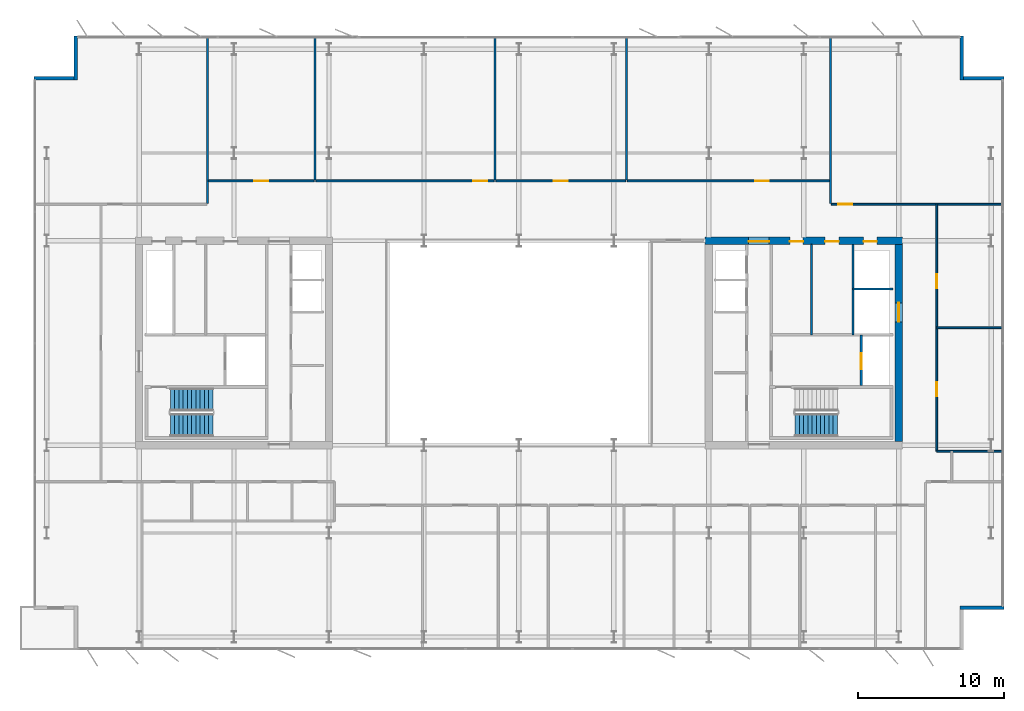
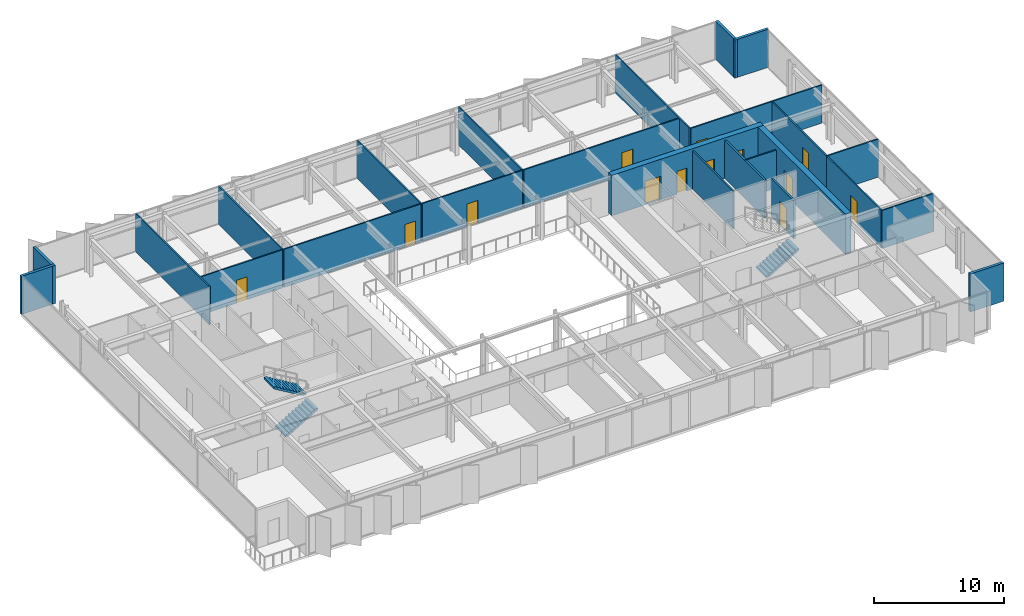
# One storey, part 19 of 24: 25 walls, 13 doors, 3 stair flights, 13 openings, 2 elements without a shape of their own.
"""IFC4 building model written with IfcOpenShell, lengths in metres."""

from ifc_helpers import new_model, si_unit, direction, frame, frame_2d, origin, place, context, subcontext, project, spatial, polyline, rectangle, outline, extrude, material, layer, layer_set, type_object, element, fill, aggregate, save


model = new_model("IFC4")

# Units and contexts
model_context = context("Model", 3, precision=1e-05, world=origin(), true_north=direction((0.0, 1.0)))
body_context = subcontext(model_context, "Body", "Model", "MODEL_VIEW")
ifc_project = project(units=[si_unit("LENGTHUNIT", "METRE"), si_unit("AREAUNIT", "SQUARE_METRE"), si_unit("VOLUMEUNIT", "CUBIC_METRE"), si_unit("PLANEANGLEUNIT", "RADIAN"), si_unit("MASSUNIT", "GRAM", prefix="KILO")], contexts=[model_context])

# Site, building, storey
site_placement = place(None, origin())
site = spatial("IfcSite", under=ifc_project, at=site_placement, CompositionType="ELEMENT")
building_placement = place(site_placement, origin())
building = spatial("IfcBuilding", under=site, at=building_placement, Name="Putna Gate Headquarters", CompositionType="ELEMENT")
storey_placement = place(building_placement, frame((0.0, 0.0, 236.60009765625)))
storey = spatial("IfcBuildingStorey", under=building, at=storey_placement, Name="L59", CompositionType="ELEMENT", Elevation=236.60009765625)

# Wall, openings, doors
ifc_material_1 = material(Name="Concrete C50/60", Category="concrete")
ifc_layer_1 = layer(ifc_material_1, 0.5)
ifc_layer_set_1 = layer_set([ifc_layer_1], Name="Concrete C50/60")
wall_type_1 = type_object("IfcWallType", Name="WALL-CORE-500", PredefinedType="SHEAR", material=ifc_layer_set_1)
wall_1_placement = place(storey_placement, frame((51.75, 33.0, 0.0), z_axis=(0.0, 0.0, 1.0), x_axis=(1.0, 0.0, 0.0)))
wall_1 = element("IfcWall", 1, at=wall_1_placement, inside=storey, type_object=wall_type_1, Name="L59 EC Split Core Shear Wall N", PredefinedType="SHEAR", context=body_context, shape_type="SweptSolid", body=[
    extrude(rectangle(XDim=13.5, YDim=0.5, at=frame_2d((6.75, 0.0))), origin(), (0.0, 0.0, 1.0), 3.7998046875),
])
opening_1_placement = place(wall_1_placement, frame((2.969970703125, 0.0, 0.0)))
opening_1 = element("IfcOpeningElement", 2, at=opening_1_placement, cuts=wall_1, Name="Opening FDD-140", PredefinedType="OPENING", context=body_context, shape_type="SweptSolid", body=[
    extrude(rectangle(XDim=1.39990234375, YDim=2.199951171875, at=frame_2d((0.699951171875, 1.10009765625))), frame((0.0, 0.260009765625, 0.0), z_axis=(0.0, -1.0, 0.0), x_axis=(1.0, 0.0, 0.0)), (0.0, 0.0, 1.0), 0.52001953125),
])
opening_2_placement = place(wall_1_placement, frame((10.85009765625, 0.0, 0.0)))
opening_2 = element("IfcOpeningElement", 3, at=opening_2_placement, cuts=wall_1, Name="Opening RD-90", PredefinedType="OPENING", context=body_context, shape_type="SweptSolid", body=[
    extrude(rectangle(XDim=0.89990234375, YDim=2.14990234375, at=frame_2d((0.449951171875, 1.074951171875))), frame((0.0, 0.260009765625, 0.0), z_axis=(0.0, -1.0, 0.0), x_axis=(1.0, 0.0, 0.0)), (0.0, 0.0, 1.0), 0.52001953125),
])
opening_3_placement = place(wall_1_placement, frame((5.800048828125, 0.0, 0.0)))
opening_3 = element("IfcOpeningElement", 4, at=opening_3_placement, cuts=wall_1, Name="Opening IDS-90", PredefinedType="OPENING", context=body_context, shape_type="SweptSolid", body=[
    extrude(rectangle(XDim=0.89990234375, YDim=2.14990234375, at=frame_2d((0.449951171875, 1.074951171875))), frame((0.0, 0.260009765625, 0.0), z_axis=(0.0, -1.0, 0.0), x_axis=(1.0, 0.0, 0.0)), (0.0, 0.0, 1.0), 0.52001953125),
])
opening_4_placement = place(wall_1_placement, frame((8.199951171875, 0.0, 0.0)))
opening_4 = element("IfcOpeningElement", 5, at=opening_4_placement, cuts=wall_1, Name="Opening IDS-95", PredefinedType="OPENING", context=body_context, shape_type="SweptSolid", body=[
    extrude(rectangle(XDim=0.949951171875, YDim=2.14990234375, at=frame_2d((0.47509765625, 1.074951171875))), frame((0.0, 0.260009765625, 0.0), z_axis=(0.0, -1.0, 0.0), x_axis=(1.0, 0.0, 0.0)), (0.0, 0.0, 1.0), 0.52001953125),
])
ifc_material_2 = material(Name="Double steel fire door", Category="steel")
door_type_1 = type_object("IfcDoorType", Name="DOOR-FIRE-DBL-1400", OperationType="DOUBLE_DOOR_SINGLE_SWING", PredefinedType="DOOR", material=ifc_material_2)
door_1_placement = place(opening_1_placement, origin())
door_1 = element("IfcDoor", 6, at=door_1_placement, inside=storey, type_object=door_type_1, Name="L59 East Lift Lobby North Door", OperationType="DOUBLE_DOOR_SINGLE_SWING", OverallHeight=2.199951171875, OverallWidth=1.39990234375, PredefinedType="DOOR", context=body_context, shape_type="SweptSolid", body=[
    extrude(rectangle(XDim=1.39990234375, YDim=2.199951171875, at=frame_2d((0.699951171875, 1.10009765625))), frame((0.0, -0.02490234375, 0.0), z_axis=(0.0, -1.0, 0.0), x_axis=(1.0, 0.0, 0.0)), (0.0, 0.0, 1.0), 0.050048828125),
])
fill(opening_1, door_1)
ifc_material_3 = material(Name="Fire-rated utility door")
door_type_2 = type_object("IfcDoorType", Name="DOOR-INT-900", OperationType="NOTDEFINED", PredefinedType="DOOR", material=ifc_material_3)
door_2_placement = place(opening_3_placement, origin())
door_2 = element("IfcDoor", 7, at=door_2_placement, inside=storey, type_object=door_type_2, Name="L59 Telecoms Plant Door", OperationType="SINGLE_SWING_LEFT", OverallHeight=2.14990234375, OverallWidth=0.89990234375, PredefinedType="DOOR", context=body_context, shape_type="SweptSolid", body=[
    extrude(rectangle(XDim=0.89990234375, YDim=2.14990234375, at=frame_2d((0.449951171875, 1.074951171875))), frame((0.0, -0.02490234375, 0.0), z_axis=(0.0, -1.0, 0.0), x_axis=(1.0, 0.0, 0.0)), (0.0, 0.0, 1.0), 0.050048828125),
])
fill(opening_3, door_2)
ifc_material_4 = material(Name="Fire-rated service timber door", Category="wood")
door_type_3 = type_object("IfcDoorType", Name="DOOR-INT-950", OperationType="NOTDEFINED", PredefinedType="DOOR", material=ifc_material_4)
door_3_placement = place(opening_4_placement, origin())
door_3 = element("IfcDoor", 8, at=door_3_placement, inside=storey, type_object=door_type_3, Name="L59 Supplies Store Door", OperationType="SINGLE_SWING_RIGHT", OverallHeight=2.14990234375, OverallWidth=0.949951171875, PredefinedType="DOOR", context=body_context, shape_type="SweptSolid", body=[
    extrude(rectangle(XDim=0.949951171875, YDim=2.14990234375, at=frame_2d((0.47509765625, 1.074951171875))), frame((0.0, -0.02490234375, 0.0), z_axis=(0.0, -1.0, 0.0), x_axis=(1.0, 0.0, 0.0)), (0.0, 0.0, 1.0), 0.050048828125),
])
fill(opening_4, door_3)
ifc_material_5 = material(Name="Steel riser access fire door", Category="steel")
door_type_4 = type_object("IfcDoorType", Name="DOOR-RISER-900", OperationType="NOTDEFINED", PredefinedType="DOOR", material=ifc_material_5)
door_4_placement = place(opening_2_placement, origin())
door_4 = element("IfcDoor", 9, at=door_4_placement, inside=storey, type_object=door_type_4, Name="L59 East Riser Access Door", OperationType="SINGLE_SWING_LEFT", OverallHeight=2.14990234375, OverallWidth=0.89990234375, PredefinedType="DOOR", context=body_context, shape_type="SweptSolid", body=[
    extrude(rectangle(XDim=0.89990234375, YDim=2.14990234375, at=frame_2d((0.449951171875, 1.074951171875))), frame((0.0, -0.02490234375, 0.0), z_axis=(0.0, -1.0, 0.0), x_axis=(1.0, 0.0, 0.0)), (0.0, 0.0, 1.0), 0.050048828125),
])
fill(opening_2, door_4)

# Wall, opening, door
wall_2_placement = place(storey_placement, frame((65.0, 19.25, 0.0), z_axis=(0.0, 0.0, 1.0), x_axis=(0.0, 1.0, 0.0)))
wall_2 = element("IfcWall", 10, at=wall_2_placement, inside=storey, type_object=wall_type_1, Name="L59 EC Split Core Shear Wall E", PredefinedType="SHEAR", context=body_context, shape_type="SweptSolid", body=[
    extrude(rectangle(XDim=13.5, YDim=0.5, at=frame_2d((6.75, 0.0))), origin(), (0.0, 0.0, 1.0), 3.7998046875),
])
opening_5_placement = place(wall_2_placement, frame((8.199951171875, 0.0, 0.0)))
opening_5 = element("IfcOpeningElement", 11, at=opening_5_placement, cuts=wall_2, Name="Opening LD-2", PredefinedType="OPENING", context=body_context, shape_type="SweptSolid", body=[
    extrude(rectangle(XDim=1.300048828125, YDim=2.199951171875, at=frame_2d((0.64990234375, 1.10009765625))), frame((0.0, 0.260009765625, 0.0), z_axis=(0.0, -1.0, 0.0), x_axis=(1.0, 0.0, 0.0)), (0.0, 0.0, 1.0), 0.52001953125),
])
ifc_material_6 = material(Name="Heavy-duty goods lift sliding landing door")
door_type_5 = type_object("IfcDoorType", Name="DOOR-LIFT-1300", OperationType="DOUBLE_DOOR_SLIDING", PredefinedType="DOOR", material=ifc_material_6)
door_5_placement = place(opening_5_placement, origin())
door_5 = element("IfcDoor", 12, at=door_5_placement, inside=storey, type_object=door_type_5, Name="L59 Goods Lift Landing Door LD-15", OperationType="DOUBLE_DOOR_SLIDING", OverallHeight=2.199951171875, OverallWidth=1.300048828125, PredefinedType="DOOR", context=body_context, shape_type="SweptSolid", body=[
    extrude(rectangle(XDim=1.300048828125, YDim=2.199951171875, at=frame_2d((0.64990234375, 1.10009765625))), frame((0.0, 0.02490234375, 0.0), z_axis=(0.0, -1.0, 0.0), x_axis=(1.0, 0.0, 0.0)), (0.0, 0.0, 1.0), 0.050048828125),
])
fill(opening_5, door_5)

# Walls
ifc_material_7 = material(Name="Precast concrete C40/50", Category="concrete")
ifc_layer_2 = layer(ifc_material_7, 0.239990234375)
ifc_layer_set_2 = layer_set([ifc_layer_2], Name="Precast concrete C40/50")
wall_type_2 = type_object("IfcWallType", Name="WALL-EXT-TERR-240", PredefinedType="STANDARD", material=ifc_layer_set_2)
for number, where, z_axis, x_axis, name in (
    (13, (8.679931640625, 44.0, 0.0), (0.0, 0.0, 1.0), (0.0, 1.0, 0.0), "L59 Corner Notch Return Wall NW-V"),
    (14, (5.800048828125, 44.1201171875, 0.0), (0.0, 0.0, 1.0), (1.0, 0.0, 0.0), "L59 Corner Notch Return Wall NW-H"),
    (15, (69.320068359375, 47.0, 0.0), (0.0, 0.0, 1.0), (0.0, -1.0, 0.0), "L59 Corner Notch Return Wall NE-V"),
    (16, (69.199951171875, 44.1201171875, 0.0), (0.0, 0.0, 1.0), (1.0, 0.0, 0.0), "L59 Corner Notch Return Wall NE-H"),
    (17, (72.199951171875, 7.8798828125, 0.0), (0.0, 0.0, 1.0), (-1.0, 0.0, 0.0), "L59 Corner Notch Return Wall SE-H"),
):
    element("IfcWall", number, at=place(storey_placement, frame(where, z_axis=z_axis, x_axis=x_axis)), inside=storey, type_object=wall_type_2, Name=name, PredefinedType="STANDARD", context=body_context, shape_type="SweptSolid", body=[
        extrude(rectangle(XDim=3.0, YDim=0.239990234375, at=frame_2d((1.5, 0.0))), origin(), (0.0, 0.0, 1.0), 3.579833984375),
    ])
ifc_material_8 = material(Name="Acoustic gypsum board on metal stud")
ifc_layer_3 = layer(ifc_material_8, 0.1201171875)
ifc_layer_set_3 = layer_set([ifc_layer_3], Name="Acoustic gypsum board on metal stud")
wall_type_3 = type_object("IfcWallType", Name="WALL-PART-120", PredefinedType="PARTITIONING", material=ifc_layer_set_3)
wall_3_placement = place(storey_placement, frame((17.682373046875, 35.56005859375, 0.0), z_axis=(0.0, 0.0, 1.0), x_axis=(0.0, 1.0, 0.0)))
element("IfcWall", 18, at=wall_3_placement, inside=storey, type_object=wall_type_3, Name="L59 Interior Wall PART-L59-NB-DIV-01", PredefinedType="PARTITIONING", context=body_context, shape_type="SweptSolid", body=[
    extrude(rectangle(XDim=11.419921875, YDim=0.1201171875, at=frame_2d((5.7099609375, 0.0))), origin(), (0.0, 0.0, 1.0), 3.579833984375),
])
for number, where, z_axis, x_axis, name in (
    (19, (25.045654296875, 37.159912109375, 0.0), (0.0, 0.0, 1.0), (0.0, 1.0, 0.0), "L59 Interior Wall PART-L59-NB-DIV-02"),
    (20, (37.355712890625, 37.159912109375, 0.0), (0.0, 0.0, 1.0), (0.0, 1.0, 0.0), "L59 Interior Wall PART-L59-NB-DIV-03"),
    (21, (46.363525390625, 37.159912109375, 0.0), (0.0, 0.0, 1.0), (0.0, 1.0, 0.0), "L59 Interior Wall PART-L59-NB-DIV-04"),
):
    element("IfcWall", number, at=place(storey_placement, frame(where, z_axis=z_axis, x_axis=x_axis)), inside=storey, type_object=wall_type_3, Name=name, PredefinedType="PARTITIONING", context=body_context, shape_type="SweptSolid", body=[
        extrude(rectangle(XDim=9.820068359375, YDim=0.1201171875, at=frame_2d((4.91015625, 0.0))), origin(), (0.0, 0.0, 1.0), 3.579833984375),
    ])
wall_4_placement = place(storey_placement, frame((60.317626953125, 35.56005859375, 0.0), z_axis=(0.0, 0.0, 1.0), x_axis=(0.0, 1.0, 0.0)))
element("IfcWall", 22, at=wall_4_placement, inside=storey, type_object=wall_type_3, Name="L59 Interior Wall PART-L59-NB-DIV-05", PredefinedType="PARTITIONING", context=body_context, shape_type="SweptSolid", body=[
    extrude(rectangle(XDim=11.419921875, YDim=0.1201171875, at=frame_2d((5.7099609375, 0.0))), origin(), (0.0, 0.0, 1.0), 3.579833984375),
])
wall_5_placement = place(storey_placement, frame((67.60009765625, 27.050048828125, 0.0), z_axis=(0.0, 0.0, 1.0), x_axis=(1.0, 0.0, 0.0)))
element("IfcWall", 23, at=wall_5_placement, inside=storey, type_object=wall_type_3, Name="L59 Interior Wall PART-L59-EW-DIV-1", PredefinedType="PARTITIONING", context=body_context, shape_type="SweptSolid", body=[
    extrude(rectangle(XDim=4.579833984375, YDim=0.1201171875, at=frame_2d((2.2900390625, 0.0))), origin(), (0.0, 0.0, 1.0), 3.579833984375),
])
ifc_material_9 = material(Name="Fire-rated shaftwall gypsum board on metal stud")
ifc_layer_4 = layer(ifc_material_9, 0.1201171875)
ifc_layer_set_4 = layer_set([ifc_layer_4], Name="Fire-rated shaftwall gypsum board on metal stud")
wall_type_4 = type_object("IfcWallType", Name="WALL-PART-120-EI120", PredefinedType="PARTITIONING", material=ifc_layer_set_4)
wall_6_placement = place(storey_placement, frame((61.8701171875, 29.699951171875, 0.0), z_axis=(0.0, 0.0, 1.0), x_axis=(1.0, 0.0, 0.0)))
element("IfcWall", 24, at=wall_6_placement, inside=storey, type_object=wall_type_4, Name="L59 Interior Wall CWINT-L59-EC-LF15-N", PredefinedType="PARTITIONING", context=body_context, shape_type="SweptSolid", body=[
    extrude(rectangle(XDim=2.72998046875, YDim=0.1201171875, at=frame_2d((1.364990234375, 0.0))), origin(), (0.0, 0.0, 1.0), 3.579833984375),
])
ifc_material_10 = material(Name="Fire-rated gypsum board on metal stud")
ifc_layer_5 = layer(ifc_material_10, 0.1201171875)
ifc_layer_set_5 = layer_set([ifc_layer_5], Name="Fire-rated gypsum board on metal stud")
wall_type_5 = type_object("IfcWallType", Name="WALL-PART-120-RATED", PredefinedType="PARTITIONING", material=ifc_layer_set_5)
wall_7_placement = place(storey_placement, frame((59.02001953125, 26.56005859375, 0.0), z_axis=(0.0, 0.0, 1.0), x_axis=(0.0, 1.0, 0.0)))
element("IfcWall", 25, at=wall_7_placement, inside=storey, type_object=wall_type_5, Name="L59 Interior Wall CWINT-L59-EC-K1-DIV", PredefinedType="PARTITIONING", context=body_context, shape_type="SweptSolid", body=[
    extrude(rectangle(XDim=6.18994140625, YDim=0.1201171875, at=frame_2d((3.094970703125, 0.0))), origin(), (0.0, 0.0, 1.0), 3.579833984375),
])

# Wall, opening, door
wall_8_placement = place(storey_placement, frame((17.7421875, 37.10009765625, 0.0), z_axis=(0.0, 0.0, 1.0), x_axis=(1.0, 0.0, 0.0)))
wall_8 = element("IfcWall", 26, at=wall_8_placement, inside=storey, type_object=wall_type_5, Name="L59 Interior Wall PART-L59-NB-CW-02", PredefinedType="PARTITIONING", context=body_context, shape_type="SweptSolid", body=[
    extrude(rectangle(XDim=7.243408203125, YDim=0.1201171875, at=frame_2d((3.62158203125, 0.0))), origin(), (0.0, 0.0, 1.0), 3.579833984375),
])
opening_6_placement = place(wall_8_placement, frame((3.146728515625, 0.0, 0.0)))
opening_6 = element("IfcOpeningElement", 27, at=opening_6_placement, cuts=wall_8, Name="Opening FD-95", PredefinedType="OPENING", context=body_context, shape_type="SweptSolid", body=[
    extrude(rectangle(XDim=0.949951171875, YDim=2.14990234375, at=frame_2d((0.47509765625, 1.074951171875))), frame((0.0, 0.070068359375, 0.0), z_axis=(0.0, -1.0, 0.0), x_axis=(1.0, 0.0, 0.0)), (0.0, 0.0, 1.0), 0.14013671875),
])
ifc_material_11 = material(Name="Acoustic timber fire door", Category="wood")
door_type_6 = type_object("IfcDoorType", Name="DOOR-FIRE-950", OperationType="NOTDEFINED", PredefinedType="DOOR", material=ifc_material_11)
door_6_placement = place(opening_6_placement, origin())
door_6 = element("IfcDoor", 28, at=door_6_placement, inside=storey, type_object=door_type_6, Name="L59 Conference Meeting Room 4 Door", OperationType="SINGLE_SWING_LEFT", OverallHeight=2.14990234375, OverallWidth=0.949951171875, PredefinedType="DOOR", context=body_context, shape_type="SweptSolid", body=[
    extrude(rectangle(XDim=0.949951171875, YDim=2.14990234375, at=frame_2d((0.47509765625, 1.074951171875))), frame((0.0, 0.02490234375, 0.0), z_axis=(0.0, -1.0, 0.0), x_axis=(1.0, 0.0, 0.0)), (0.0, 0.0, 1.0), 0.050048828125),
])
fill(opening_6, door_6)

wall_9_placement = place(storey_placement, frame((25.105712890625, 37.10009765625, 0.0), z_axis=(0.0, 0.0, 1.0), x_axis=(1.0, 0.0, 0.0)))
wall_9 = element("IfcWall", 29, at=wall_9_placement, inside=storey, type_object=wall_type_5, Name="L59 Interior Wall PART-L59-NB-CW-03", PredefinedType="PARTITIONING", context=body_context, shape_type="SweptSolid", body=[
    extrude(rectangle(XDim=12.18994140625, YDim=0.1201171875, at=frame_2d((6.094970703125, 0.0))), origin(), (0.0, 0.0, 1.0), 3.579833984375),
])
opening_7_placement = place(wall_9_placement, frame((10.760009765625, 0.0, 0.0)))
opening_7 = element("IfcOpeningElement", 30, at=opening_7_placement, cuts=wall_9, Name="Opening FD-95", PredefinedType="OPENING", context=body_context, shape_type="SweptSolid", body=[
    extrude(rectangle(XDim=0.949951171875, YDim=2.14990234375, at=frame_2d((0.47509765625, 1.074951171875))), frame((0.0, 0.070068359375, 0.0), z_axis=(0.0, -1.0, 0.0), x_axis=(1.0, 0.0, 0.0)), (0.0, 0.0, 1.0), 0.14013671875),
])
door_7_placement = place(opening_7_placement, origin())
door_7 = element("IfcDoor", 31, at=door_7_placement, inside=storey, type_object=door_type_6, Name="L59 Conference Meeting Room 5 Door", OperationType="SINGLE_SWING_RIGHT", OverallHeight=2.14990234375, OverallWidth=0.949951171875, PredefinedType="DOOR", context=body_context, shape_type="SweptSolid", body=[
    extrude(rectangle(XDim=0.949951171875, YDim=2.14990234375, at=frame_2d((0.47509765625, 1.074951171875))), frame((0.0, 0.02490234375, 0.0), z_axis=(0.0, -1.0, 0.0), x_axis=(1.0, 0.0, 0.0)), (0.0, 0.0, 1.0), 0.050048828125),
])
fill(opening_7, door_7)

wall_10_placement = place(storey_placement, frame((37.41552734375, 37.10009765625, 0.0), z_axis=(0.0, 0.0, 1.0), x_axis=(1.0, 0.0, 0.0)))
wall_10 = element("IfcWall", 32, at=wall_10_placement, inside=storey, type_object=wall_type_5, Name="L59 Interior Wall PART-L59-NB-CW-04", PredefinedType="PARTITIONING", context=body_context, shape_type="SweptSolid", body=[
    extrude(rectangle(XDim=8.887939453125, YDim=0.1201171875, at=frame_2d((4.44384765625, 0.0))), origin(), (0.0, 0.0, 1.0), 3.579833984375),
])
opening_8_placement = place(wall_10_placement, frame((3.968994140625, 0.0, 0.0)))
opening_8 = element("IfcOpeningElement", 33, at=opening_8_placement, cuts=wall_10, Name="Opening FD-95", PredefinedType="OPENING", context=body_context, shape_type="SweptSolid", body=[
    extrude(rectangle(XDim=0.949951171875, YDim=2.14990234375, at=frame_2d((0.47509765625, 1.074951171875))), frame((0.0, 0.070068359375, 0.0), z_axis=(0.0, -1.0, 0.0), x_axis=(1.0, 0.0, 0.0)), (0.0, 0.0, 1.0), 0.14013671875),
])
door_8_placement = place(opening_8_placement, origin())
door_8 = element("IfcDoor", 34, at=door_8_placement, inside=storey, type_object=door_type_6, Name="L59 Conference Meeting Room 6 Door", OperationType="SINGLE_SWING_LEFT", OverallHeight=2.14990234375, OverallWidth=0.949951171875, PredefinedType="DOOR", context=body_context, shape_type="SweptSolid", body=[
    extrude(rectangle(XDim=0.949951171875, YDim=2.14990234375, at=frame_2d((0.47509765625, 1.074951171875))), frame((0.0, 0.02490234375, 0.0), z_axis=(0.0, -1.0, 0.0), x_axis=(1.0, 0.0, 0.0)), (0.0, 0.0, 1.0), 0.050048828125),
])
fill(opening_8, door_8)

wall_11_placement = place(storey_placement, frame((46.423583984375, 37.10009765625, 0.0), z_axis=(0.0, 0.0, 1.0), x_axis=(1.0, 0.0, 0.0)))
wall_11 = element("IfcWall", 35, at=wall_11_placement, inside=storey, type_object=wall_type_5, Name="L59 Interior Wall PART-L59-NB-CW-05", PredefinedType="PARTITIONING", context=body_context, shape_type="SweptSolid", body=[
    extrude(rectangle(XDim=13.834228515625, YDim=0.1201171875, at=frame_2d((6.9169921875, 0.0))), origin(), (0.0, 0.0, 1.0), 3.579833984375),
])
opening_9_placement = place(wall_11_placement, frame((8.73388671875, 0.0, 0.0)))
opening_9 = element("IfcOpeningElement", 36, at=opening_9_placement, cuts=wall_11, Name="Opening FD-95", PredefinedType="OPENING", context=body_context, shape_type="SweptSolid", body=[
    extrude(rectangle(XDim=0.949951171875, YDim=2.14990234375, at=frame_2d((0.47509765625, 1.074951171875))), frame((0.0, 0.070068359375, 0.0), z_axis=(0.0, -1.0, 0.0), x_axis=(1.0, 0.0, 0.0)), (0.0, 0.0, 1.0), 0.14013671875),
])
door_9_placement = place(opening_9_placement, origin())
door_9 = element("IfcDoor", 37, at=door_9_placement, inside=storey, type_object=door_type_6, Name="L59 Collaborative Breakout Lounge 1 Door", OperationType="SINGLE_SWING_RIGHT", OverallHeight=2.14990234375, OverallWidth=0.949951171875, PredefinedType="DOOR", context=body_context, shape_type="SweptSolid", body=[
    extrude(rectangle(XDim=0.949951171875, YDim=2.14990234375, at=frame_2d((0.47509765625, 1.074951171875))), frame((0.0, 0.02490234375, 0.0), z_axis=(0.0, -1.0, 0.0), x_axis=(1.0, 0.0, 0.0)), (0.0, 0.0, 1.0), 0.050048828125),
])
fill(opening_9, door_9)

wall_12_placement = place(storey_placement, frame((60.377685546875, 35.5, 0.0), z_axis=(0.0, 0.0, 1.0), x_axis=(1.0, 0.0, 0.0)))
wall_12 = element("IfcWall", 38, at=wall_12_placement, inside=storey, type_object=wall_type_5, Name="L59 Interior Wall PART-L59-NB-CW-06", PredefinedType="PARTITIONING", context=body_context, shape_type="SweptSolid", body=[
    extrude(rectangle(XDim=11.642333984375, YDim=0.1201171875, at=frame_2d((5.8212890625, 0.0))), origin(), (0.0, 0.0, 1.0), 3.579833984375),
])
opening_10_placement = place(wall_12_placement, frame((0.47998046875, 0.0, 0.0)))
opening_10 = element("IfcOpeningElement", 39, at=opening_10_placement, cuts=wall_12, Name="Opening FD-95", PredefinedType="OPENING", context=body_context, shape_type="SweptSolid", body=[
    extrude(rectangle(XDim=0.949951171875, YDim=2.14990234375, at=frame_2d((0.47509765625, 1.074951171875))), frame((0.0, 0.070068359375, 0.0), z_axis=(0.0, -1.0, 0.0), x_axis=(1.0, 0.0, 0.0)), (0.0, 0.0, 1.0), 0.14013671875),
])
door_10_placement = place(opening_10_placement, origin())
door_10 = element("IfcDoor", 40, at=door_10_placement, inside=storey, type_object=door_type_6, Name="L59 Conference Meeting Room 1 Door", OperationType="SINGLE_SWING_LEFT", OverallHeight=2.14990234375, OverallWidth=0.949951171875, PredefinedType="DOOR", context=body_context, shape_type="SweptSolid", body=[
    extrude(rectangle(XDim=0.949951171875, YDim=2.14990234375, at=frame_2d((0.47509765625, 1.074951171875))), frame((0.0, 0.02490234375, 0.0), z_axis=(0.0, -1.0, 0.0), x_axis=(1.0, 0.0, 0.0)), (0.0, 0.0, 1.0), 0.050048828125),
])
fill(opening_10, door_10)

# Wall
wall_13_placement = place(storey_placement, frame((67.60009765625, 18.60009765625, 0.0), z_axis=(0.0, 0.0, 1.0), x_axis=(1.0, 0.0, 0.0)))
element("IfcWall", 41, at=wall_13_placement, inside=storey, type_object=wall_type_5, Name="L59 Interior Wall PART-L59-EW-S-BOUND", PredefinedType="PARTITIONING", context=body_context, shape_type="SweptSolid", body=[
    extrude(rectangle(XDim=4.579833984375, YDim=0.1201171875, at=frame_2d((2.2900390625, 0.0))), origin(), (0.0, 0.0, 1.0), 3.579833984375),
])

# Wall, opening, door
wall_14_placement = place(storey_placement, frame((67.60009765625, 18.60009765625, 0.0), z_axis=(0.0, 0.0, 1.0), x_axis=(0.0, 1.0, 0.0)))
wall_14 = element("IfcWall", 42, at=wall_14_placement, inside=storey, type_object=wall_type_5, Name="L59 Interior Wall PART-L59-EW-CW-1", PredefinedType="PARTITIONING", context=body_context, shape_type="SweptSolid", body=[
    extrude(rectangle(XDim=8.449951171875, YDim=0.1201171875, at=frame_2d((4.22509765625, 0.0))), origin(), (0.0, 0.0, 1.0), 3.579833984375),
])
opening_11_placement = place(wall_14_placement, frame((3.75, 0.0, 0.0)))
opening_11 = element("IfcOpeningElement", 43, at=opening_11_placement, cuts=wall_14, Name="Opening FD-95", PredefinedType="OPENING", context=body_context, shape_type="SweptSolid", body=[
    extrude(rectangle(XDim=0.949951171875, YDim=2.14990234375, at=frame_2d((0.47509765625, 1.074951171875))), frame((0.0, 0.070068359375, 0.0), z_axis=(0.0, -1.0, 0.0), x_axis=(1.0, 0.0, 0.0)), (0.0, 0.0, 1.0), 0.14013671875),
])
door_11_placement = place(opening_11_placement, origin())
door_11 = element("IfcDoor", 44, at=door_11_placement, inside=storey, type_object=door_type_6, Name="L59 East Advisory Office 1 Door", OperationType="SINGLE_SWING_RIGHT", OverallHeight=2.14990234375, OverallWidth=0.949951171875, PredefinedType="DOOR", context=body_context, shape_type="SweptSolid", body=[
    extrude(rectangle(XDim=0.949951171875, YDim=2.14990234375, at=frame_2d((0.47509765625, 1.074951171875))), frame((0.0, 0.02490234375, 0.0), z_axis=(0.0, -1.0, 0.0), x_axis=(1.0, 0.0, 0.0)), (0.0, 0.0, 1.0), 0.050048828125),
])
fill(opening_11, door_11)

wall_15_placement = place(storey_placement, frame((67.60009765625, 27.050048828125, 0.0), z_axis=(0.0, 0.0, 1.0), x_axis=(0.0, 1.0, 0.0)))
wall_15 = element("IfcWall", 45, at=wall_15_placement, inside=storey, type_object=wall_type_5, Name="L59 Interior Wall PART-L59-EW-CW-2", PredefinedType="PARTITIONING", context=body_context, shape_type="SweptSolid", body=[
    extrude(rectangle(XDim=8.449951171875, YDim=0.1201171875, at=frame_2d((4.22509765625, 0.0))), origin(), (0.0, 0.0, 1.0), 3.579833984375),
])
opening_12_placement = place(wall_15_placement, frame((2.699951171875, 0.0, 0.0)))
opening_12 = element("IfcOpeningElement", 46, at=opening_12_placement, cuts=wall_15, Name="Opening FD-95", PredefinedType="OPENING", context=body_context, shape_type="SweptSolid", body=[
    extrude(rectangle(XDim=0.949951171875, YDim=2.14990234375, at=frame_2d((0.47509765625, 1.074951171875))), frame((0.0, 0.070068359375, 0.0), z_axis=(0.0, -1.0, 0.0), x_axis=(1.0, 0.0, 0.0)), (0.0, 0.0, 1.0), 0.14013671875),
])
door_12_placement = place(opening_12_placement, origin())
door_12 = element("IfcDoor", 47, at=door_12_placement, inside=storey, type_object=door_type_6, Name="L59 East Horizon Conference Room 2 Door", OperationType="SINGLE_SWING_LEFT", OverallHeight=2.14990234375, OverallWidth=0.949951171875, PredefinedType="DOOR", context=body_context, shape_type="SweptSolid", body=[
    extrude(rectangle(XDim=0.949951171875, YDim=2.14990234375, at=frame_2d((0.47509765625, 1.074951171875))), frame((0.0, 0.02490234375, 0.0), z_axis=(0.0, -1.0, 0.0), x_axis=(1.0, 0.0, 0.0)), (0.0, 0.0, 1.0), 0.050048828125),
])
fill(opening_12, door_12)

ifc_material_12 = material(Name="Concrete C40/50", Category="concrete")
ifc_layer_6 = layer(ifc_material_12, 0.159912109375)
ifc_layer_set_6 = layer_set([ifc_layer_6], Name="Concrete C40/50")
wall_type_6 = type_object("IfcWallType", Name="WALL-SHAFT-160", PredefinedType="STANDARD", material=ifc_layer_set_6)
wall_16_placement = place(storey_placement, frame((62.429931640625, 23.090087890625, 0.0), z_axis=(0.0, 0.0, 1.0), x_axis=(0.0, 1.0, 0.0)))
wall_16 = element("IfcWall", 48, at=wall_16_placement, inside=storey, type_object=wall_type_6, Name="L59 Interior Wall CWINT-L59-EC-LF14-W", PredefinedType="STANDARD", context=body_context, shape_type="SweptSolid", body=[
    extrude(rectangle(XDim=3.469970703125, YDim=0.159912109375, at=frame_2d((1.73486328125, 0.0))), origin(), (0.0, 0.0, 1.0), 3.579833984375),
])
opening_13_placement = place(wall_16_placement, frame((1.10009765625, 0.0, 0.0)))
opening_13 = element("IfcOpeningElement", 49, at=opening_13_placement, cuts=wall_16, Name="Opening LD-1", PredefinedType="OPENING", context=body_context, shape_type="SweptSolid", body=[
    extrude(rectangle(XDim=1.10009765625, YDim=2.199951171875, at=frame_2d((0.550048828125, 1.10009765625))), frame((0.0, 0.08984375, 0.0), z_axis=(0.0, -1.0, 0.0), x_axis=(1.0, 0.0, 0.0)), (0.0, 0.0, 1.0), 0.179931640625),
])
ifc_material_13 = material(Name="Brushed bronze stainless lift landing door")
door_type_7 = type_object("IfcDoorType", Name="DOOR-LIFT-1100", OperationType="DOUBLE_DOOR_SLIDING", PredefinedType="DOOR", material=ifc_material_13)
door_13_placement = place(opening_13_placement, origin())
door_13 = element("IfcDoor", 50, at=door_13_placement, inside=storey, type_object=door_type_7, Name="L59 Lift Landing Door LD-14", OperationType="DOUBLE_DOOR_SLIDING", OverallHeight=2.199951171875, OverallWidth=1.10009765625, PredefinedType="DOOR", context=body_context, shape_type="SweptSolid", body=[
    extrude(rectangle(XDim=1.10009765625, YDim=2.199951171875, at=frame_2d((0.550048828125, 1.10009765625))), frame((0.0, 0.02490234375, 0.0), z_axis=(0.0, -1.0, 0.0), x_axis=(1.0, 0.0, 0.0)), (0.0, 0.0, 1.0), 0.050048828125),
])
fill(opening_13, door_13)

# Wall
wall_17_placement = place(storey_placement, frame((61.8701171875, 26.56005859375, 0.0), z_axis=(0.0, 0.0, 1.0), x_axis=(0.0, 1.0, 0.0)))
element("IfcWall", 51, at=wall_17_placement, inside=storey, type_object=wall_type_6, Name="L59 Interior Wall CWINT-L59-EC-LF15-W", PredefinedType="STANDARD", context=body_context, shape_type="SweptSolid", body=[
    extrude(rectangle(XDim=6.18994140625, YDim=0.159912109375, at=frame_2d((3.094970703125, 0.0))), origin(), (0.0, 0.0, 1.0), 3.579833984375),
])

# Stair, stair flights
stair_type_1 = type_object("IfcStairType", Name="STAIR-ST1", PredefinedType="HALF_TURN_STAIR", material=ifc_material_12)
stair_1_placement = place(storey_placement, origin())
stair_1 = element("IfcStair", 52, at=stair_1_placement, inside=storey, type_object=stair_type_1, Name="L59 West Core Exit Stair ST1", PredefinedType="HALF_TURN_STAIR")
stair_flight_type_1 = type_object("IfcStairFlightType", Name="FLIGHT-ST1", PredefinedType="STRAIGHT", material=ifc_material_12)
stair_flight_1_placement = place(storey_placement, frame((15.14990234375, 20.375, 0.0), z_axis=(0.0, 0.0, 1.0), x_axis=(1.0, 0.0, 0.0)))
stair_flight_1 = element("IfcStairFlight", 53, at=stair_flight_1_placement, type_object=stair_flight_type_1, Name="ST1 flight 1", NumberOfRisers=11, NumberOfTreads=10, PredefinedType="STRAIGHT", RiserHeight=0.172727273, TreadLength=0.29, context=body_context, shape_type="SweptSolid", body=[
    extrude(outline(polyline([(0.0, 0.0), (0.0, 0.172607421875), (0.2900390625, 0.172607421875), (0.2900390625, 0.345458984375), (0.580078125, 0.345458984375), (0.580078125, 0.51806640625), (0.8701171875, 0.51806640625), (0.8701171875, 0.69091796875), (1.159912109375, 0.69091796875), (1.159912109375, 0.863525390625), (1.449951171875, 0.863525390625), (1.449951171875, 1.036376953125), (1.739990234375, 1.036376953125), (1.739990234375, 1.208984375), (2.030029296875, 1.208984375), (2.030029296875, 1.3818359375), (2.320068359375, 1.3818359375), (2.320068359375, 1.554443359375), (2.610107421875, 1.554443359375), (2.610107421875, 1.727294921875), (2.89990234375, 1.727294921875), (2.89990234375, 1.89990234375), (2.89990234375, 1.552734375), (0.29296875, 0.0), (0.0, 0.0)])), frame((0.0, 0.77490234375, 0.0), z_axis=(0.0, -1.0, 0.0), x_axis=(1.0, 0.0, 0.0)), (0.0, 0.0, 1.0), 1.550048828125),
])
stair_flight_2_placement = place(storey_placement, frame((18.050048828125, 22.125, 1.89990234375), z_axis=(0.0, 0.0, 1.0), x_axis=(-1.0, 0.0, 0.0)))
stair_flight_2 = element("IfcStairFlight", 54, at=stair_flight_2_placement, type_object=stair_flight_type_1, Name="ST1 flight 2", NumberOfRisers=11, NumberOfTreads=10, PredefinedType="STRAIGHT", RiserHeight=0.172727273, TreadLength=0.29, context=body_context, shape_type="SweptSolid", body=[
    extrude(outline(polyline([(0.0, 0.0), (0.0, 0.172607421875), (0.2900390625, 0.172607421875), (0.2900390625, 0.345458984375), (0.580078125, 0.345458984375), (0.580078125, 0.51806640625), (0.8701171875, 0.51806640625), (0.8701171875, 0.69091796875), (1.159912109375, 0.69091796875), (1.159912109375, 0.863525390625), (1.449951171875, 0.863525390625), (1.449951171875, 1.036376953125), (1.739990234375, 1.036376953125), (1.739990234375, 1.208984375), (2.030029296875, 1.208984375), (2.030029296875, 1.3818359375), (2.320068359375, 1.3818359375), (2.320068359375, 1.554443359375), (2.610107421875, 1.554443359375), (2.610107421875, 1.727294921875), (2.89990234375, 1.727294921875), (2.89990234375, 1.89990234375), (2.89990234375, 1.552734375), (0.29296875, 0.0), (0.0, 0.0)])), frame((0.0, 0.77490234375, 0.0), z_axis=(0.0, -1.0, 0.0), x_axis=(1.0, 0.0, 0.0)), (0.0, 0.0, 1.0), 1.550048828125),
])
aggregate(stair_1, [stair_flight_1, stair_flight_2])

# Stair, stair flight
stair_type_2 = type_object("IfcStairType", Name="STAIR-ST2", PredefinedType="HALF_TURN_STAIR", material=ifc_material_12)
stair_2_placement = place(storey_placement, origin())
stair_2 = element("IfcStair", 55, at=stair_2_placement, inside=storey, type_object=stair_type_2, Name="L59 East Core Exit Stair ST2", PredefinedType="HALF_TURN_STAIR")
stair_flight_type_2 = type_object("IfcStairFlightType", Name="FLIGHT-ST2", PredefinedType="STRAIGHT", material=ifc_material_12)
stair_flight_3_placement = place(storey_placement, frame((57.89990234375, 20.375, 0.0), z_axis=(0.0, 0.0, 1.0), x_axis=(1.0, 0.0, 0.0)))
stair_flight_3 = element("IfcStairFlight", 56, at=stair_flight_3_placement, type_object=stair_flight_type_2, Name="ST2 flight 1", NumberOfRisers=11, NumberOfTreads=10, PredefinedType="STRAIGHT", RiserHeight=0.172727273, TreadLength=0.29, context=body_context, shape_type="SweptSolid", body=[
    extrude(outline(polyline([(0.0, 0.0), (0.0, 0.172607421875), (0.2900390625, 0.172607421875), (0.2900390625, 0.345458984375), (0.580078125, 0.345458984375), (0.580078125, 0.51806640625), (0.8701171875, 0.51806640625), (0.8701171875, 0.69091796875), (1.159912109375, 0.69091796875), (1.159912109375, 0.863525390625), (1.449951171875, 0.863525390625), (1.449951171875, 1.036376953125), (1.739990234375, 1.036376953125), (1.739990234375, 1.208984375), (2.030029296875, 1.208984375), (2.030029296875, 1.3818359375), (2.320068359375, 1.3818359375), (2.320068359375, 1.554443359375), (2.610107421875, 1.554443359375), (2.610107421875, 1.727294921875), (2.89990234375, 1.727294921875), (2.89990234375, 1.89990234375), (2.89990234375, 1.552734375), (0.29296875, 0.0), (0.0, 0.0)])), frame((0.0, 0.77490234375, 0.0), z_axis=(0.0, -1.0, 0.0), x_axis=(1.0, 0.0, 0.0)), (0.0, 0.0, 1.0), 1.550048828125),
])
aggregate(stair_2, [stair_flight_3])

save(model, "model.ifc")
